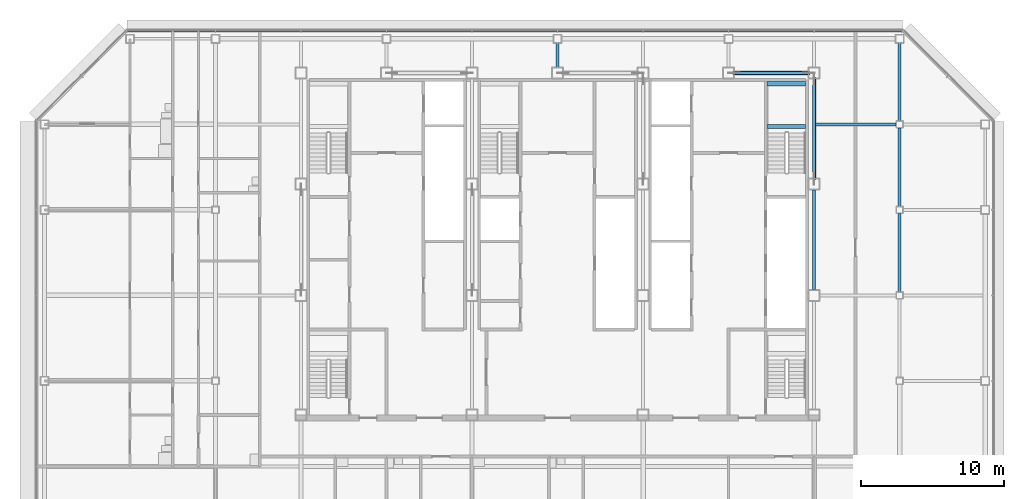
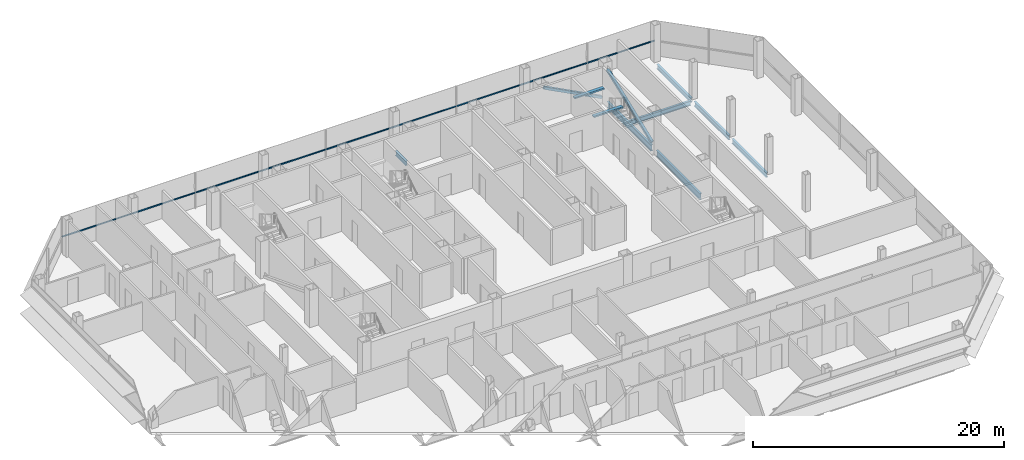
# One storey, part 15 of 28: 9 beams, 3 members, 1 element without a shape of its own.
"""IFC4 building model written with IfcOpenShell, lengths in metres."""

from ifc_helpers import new_model, si_unit, direction, frame, origin, origin_2d, place, context, subcontext, project, spatial, rectangle, hollow_rectangle, i_section, extrude, material, material_profile, profile_set, type_object, element, aggregate, save


model = new_model("IFC4")

# Units and contexts
model_context = context("Model", 3, precision=1e-05, world=origin(), true_north=direction((0.0, 1.0)))
body_context = subcontext(model_context, "Body", "Model", "MODEL_VIEW")
ifc_project = project(units=[si_unit("LENGTHUNIT", "METRE"), si_unit("AREAUNIT", "SQUARE_METRE"), si_unit("VOLUMEUNIT", "CUBIC_METRE"), si_unit("PLANEANGLEUNIT", "RADIAN"), si_unit("MASSUNIT", "GRAM", prefix="KILO")], contexts=[model_context])

# Site, building, storey
site_placement = place(None, origin())
site = spatial("IfcSite", under=ifc_project, at=site_placement, CompositionType="ELEMENT")
building_placement = place(site_placement, origin())
building = spatial("IfcBuilding", under=site, at=building_placement, Name="Sorahane Residences", CompositionType="ELEMENT")
storey_placement = place(building_placement, frame((0.0, 0.0, 250.39990234375)))
storey = spatial("IfcBuildingStorey", under=building, at=storey_placement, Name="L59", CompositionType="ELEMENT", Elevation=250.39990234375)

# Members
ifc_material_1 = material(Name="Steel Q355B", Category="steel")
ifc_material_profile_1 = material_profile(ifc_material_1, hollow_rectangle(XDim=0.25, YDim=0.25, WallThickness=0.013916015625, InnerFilletRadius=0.007080078125, OuterFilletRadius=0.02099609375, at=origin_2d()), Name="RHS 250x250x14")
ifc_profile_set_1 = profile_set([ifc_material_profile_1], Name="Steel Q355B")
member_type_1 = type_object("IfcMemberType", Name="Core brace RHS 250x250x14 Q355B", PredefinedType="BRACE", material=ifc_profile_set_1)
member_1_placement = place(storey_placement, frame((41.634765625, 45.60009765625, 0.10693359375), z_axis=(-0.886099769192, 0.0, 0.46349455125), x_axis=(0.0, -1.0, 0.0)))
element("IfcMember", 1, at=member_1_placement, inside=storey, type_object=member_type_1, Name="Core brace L59 y45.6-6", PredefinedType="BRACE", context=body_context, shape_type="SweptSolid", body=[
    extrude(hollow_rectangle(XDim=0.25, YDim=0.25, WallThickness=0.013916015625, InnerFilletRadius=0.007080078125, OuterFilletRadius=0.02099609375, at=origin_2d()), origin(), (0.0, 0.0, 1.0), 5.94677734375),
])
member_2_placement = place(storey_placement, frame((42.0, 38.1728515625, 0.114501953125), z_axis=(0.0, 0.932097872445, 0.362206510411), x_axis=(-1.0, 0.0, 0.0)))
element("IfcMember", 2, at=member_2_placement, inside=storey, type_object=member_type_1, Name="Core brace L59 x42-3", PredefinedType="BRACE", context=body_context, shape_type="SweptSolid", body=[
    extrude(hollow_rectangle(XDim=0.25, YDim=0.25, WallThickness=0.013916015625, InnerFilletRadius=0.007080078125, OuterFilletRadius=0.02099609375, at=origin_2d()), origin(), (0.0, 0.0, 1.0), 7.568115234375),
])

# Curtain wall, member
ifc_material_2 = material(Name="Dark low-e glass and black anodised aluminium", Category="aluminium")
curtain_wall_type = type_object("IfcCurtainWallType", Name="Curtain wall CW-1 Typical unitised wall", PredefinedType="NOTDEFINED", material=ifc_material_2)
curtain_wall_placement = place(storey_placement, origin())
curtain_wall = element("IfcCurtainWall", 3, at=curtain_wall_placement, inside=storey, type_object=curtain_wall_type, Name="CW-1 curtain wall L59 N1", PredefinedType="NOTDEFINED")
ifc_material_3 = material(Name="Black anodised aluminium", Category="aluminium")
ifc_material_profile_2 = material_profile(ifc_material_3, rectangle(XDim=0.10009765625, YDim=0.06005859375, at=origin_2d()), Name="Curtain wall transom CW-1 black anodised aluminium 60x100")
ifc_profile_set_2 = profile_set([ifc_material_profile_2], Name="Black anodised aluminium")
member_type_2 = type_object("IfcMemberType", Name="Curtain wall transom CW-1 black anodised aluminium 60x100", PredefinedType="USERDEFINED", material=ifc_profile_set_2)
member_3_placement = place(storey_placement, frame((48.198486328125, 48.530029296875, 1.5), z_axis=(-1.0, 0.0, 0.0), x_axis=(0.0, -1.0, 0.0)))
member_3 = element("IfcMember", 4, at=member_3_placement, type_object=member_type_2, Name="CW-1 transom L59 N1", ObjectType="TRANSOM", PredefinedType="USERDEFINED", context=body_context, shape_type="SweptSolid", body=[
    extrude(rectangle(XDim=0.10009765625, YDim=0.06005859375, at=origin_2d()), origin(), (0.0, 0.0, 1.0), 54.39697265625),
])
aggregate(curtain_wall, [member_3])

# Beams
ifc_material_4 = material(Name="Concrete C40", Category="concrete")
ifc_material_profile_3 = material_profile(ifc_material_4, rectangle(XDim=0.300048828125, YDim=0.139892578125, at=origin_2d()), Name="300x140")
ifc_profile_set_3 = profile_set([ifc_material_profile_3], Name="Concrete C40")
beam_type_1 = type_object("IfcBeamType", Name="RC landing beam 300 x 140 Concrete C40", PredefinedType="BEAM", material=ifc_profile_set_3)
for number, where, z_axis, x_axis, name in (
    (5, (38.699951171875, 41.85009765625, 1.530029296875), (1.0, 0.0, 0.0), (0.0, 1.0, 0.0), "Landing beam"),
    (6, (38.699951171875, 44.85009765625, 1.530029296875), (1.0, 0.0, 0.0), (0.0, 1.0, 0.0), "Landing beam"),
):
    element("IfcBeam", number, at=place(storey_placement, frame(where, z_axis=z_axis, x_axis=x_axis)), inside=storey, type_object=beam_type_1, Name=name, PredefinedType="BEAM", context=body_context, shape_type="SweptSolid", body=[
        extrude(rectangle(XDim=0.300048828125, YDim=0.139892578125, at=origin_2d()), origin(), (0.0, 0.0, 1.0), 2.699951171875),
    ])
ifc_material_5 = material(Name="Steel Q355B", Category="steel")
ifc_material_profile_4 = material_profile(ifc_material_5, i_section(OverallWidth=0.199951171875, OverallDepth=0.449951171875, WebThickness=0.009033203125, FlangeThickness=0.013916015625, FilletRadius=0.02001953125, at=origin_2d()), Name="HN 450x200x9x14")
ifc_profile_set_4 = profile_set([ifc_material_profile_4], Name="Steel Q355B")
beam_type_2 = type_object("IfcBeamType", Name="Steel floor beam HN 450x200x9x14 Q355B", PredefinedType="BEAM", material=ifc_profile_set_4)
beam_1_placement = place(storey_placement, frame((24.0, 46.0, -0.40478515625), z_axis=(0.0, 1.0, 0.0), x_axis=(-1.0, 0.0, 0.0)))
element("IfcBeam", 7, at=beam_1_placement, inside=storey, type_object=beam_type_2, Name="Beam L59 043", PredefinedType="BEAM", context=body_context, shape_type="SweptSolid", body=[
    extrude(i_section(OverallWidth=0.199951171875, OverallDepth=0.449951171875, WebThickness=0.009033203125, FlangeThickness=0.013916015625, FilletRadius=0.02001953125, at=origin_2d()), origin(), (0.0, 0.0, 1.0), 1.699951171875),
])
for number, where, z_axis, x_axis, name in (
    (8, (48.0, 30.25, -0.40478515625), (0.0, 1.0, 0.0), (-1.0, 0.0, 0.0), "Beam L59 061"),
    (9, (48.0, 36.25, -0.40478515625), (0.0, 1.0, 0.0), (-1.0, 0.0, 0.0), "Beam L59 062"),
):
    element("IfcBeam", number, at=place(storey_placement, frame(where, z_axis=z_axis, x_axis=x_axis)), inside=storey, type_object=beam_type_2, Name=name, PredefinedType="BEAM", context=body_context, shape_type="SweptSolid", body=[
        extrude(i_section(OverallWidth=0.199951171875, OverallDepth=0.449951171875, WebThickness=0.009033203125, FlangeThickness=0.013916015625, FilletRadius=0.02001953125, at=origin_2d()), origin(), (0.0, 0.0, 1.0), 5.5),
    ])
beam_2_placement = place(storey_placement, frame((48.0, 42.25, -0.40478515625), z_axis=(0.0, 1.0, 0.0), x_axis=(-1.0, 0.0, 0.0)))
element("IfcBeam", 10, at=beam_2_placement, inside=storey, type_object=beam_type_2, Name="Beam L59 063", PredefinedType="BEAM", context=body_context, shape_type="SweptSolid", body=[
    extrude(i_section(OverallWidth=0.199951171875, OverallDepth=0.449951171875, WebThickness=0.009033203125, FlangeThickness=0.013916015625, FilletRadius=0.02001953125, at=origin_2d()), origin(), (0.0, 0.0, 1.0), 5.449951171875),
])
beam_3_placement = place(storey_placement, frame((42.10009765625, 42.0, -0.40478515625), z_axis=(1.0, 0.0, 0.0), x_axis=(0.0, 1.0, 0.0)))
element("IfcBeam", 11, at=beam_3_placement, inside=storey, type_object=beam_type_2, Name="Beam L59 091", PredefinedType="BEAM", context=body_context, shape_type="SweptSolid", body=[
    extrude(i_section(OverallWidth=0.199951171875, OverallDepth=0.449951171875, WebThickness=0.009033203125, FlangeThickness=0.013916015625, FilletRadius=0.02001953125, at=origin_2d()), origin(), (0.0, 0.0, 1.0), 5.64990234375),
])
ifc_material_6 = material(Name="Steel Q355B", Category="steel")
ifc_material_profile_5 = material_profile(ifc_material_6, i_section(OverallWidth=0.199951171875, OverallDepth=0.60009765625, WebThickness=0.010986328125, FlangeThickness=0.01708984375, FilletRadius=0.02392578125, at=origin_2d()), Name="HN 600x200x11x17")
ifc_profile_set_5 = profile_set([ifc_material_profile_5], Name="Steel Q355B")
beam_type_3 = type_object("IfcBeamType", Name="Steel floor beam HN 600x200x11x17 Q355B", PredefinedType="BEAM", material=ifc_profile_set_5)
for number, where, z_axis, x_axis, name in (
    (12, (42.0, 30.39990234375, -0.47998046875), (0.0, 1.0, 0.0), (-1.0, 0.0, 0.0), "Beam L59 055"),
    (13, (42.0, 38.199951171875, -0.47998046875), (0.0, 1.0, 0.0), (-1.0, 0.0, 0.0), "Beam L59 056"),
):
    element("IfcBeam", number, at=place(storey_placement, frame(where, z_axis=z_axis, x_axis=x_axis)), inside=storey, type_object=beam_type_3, Name=name, PredefinedType="BEAM", context=body_context, shape_type="SweptSolid", body=[
        extrude(i_section(OverallWidth=0.199951171875, OverallDepth=0.60009765625, WebThickness=0.010986328125, FlangeThickness=0.01708984375, FilletRadius=0.02392578125, at=origin_2d()), origin(), (0.0, 0.0, 1.0), 7.0),
    ])

save(model, "model.ifc")
